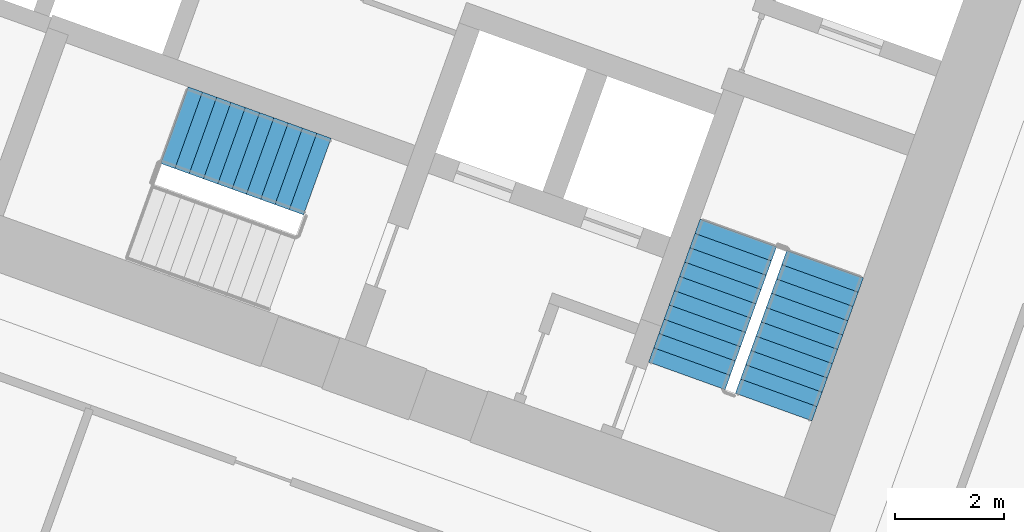
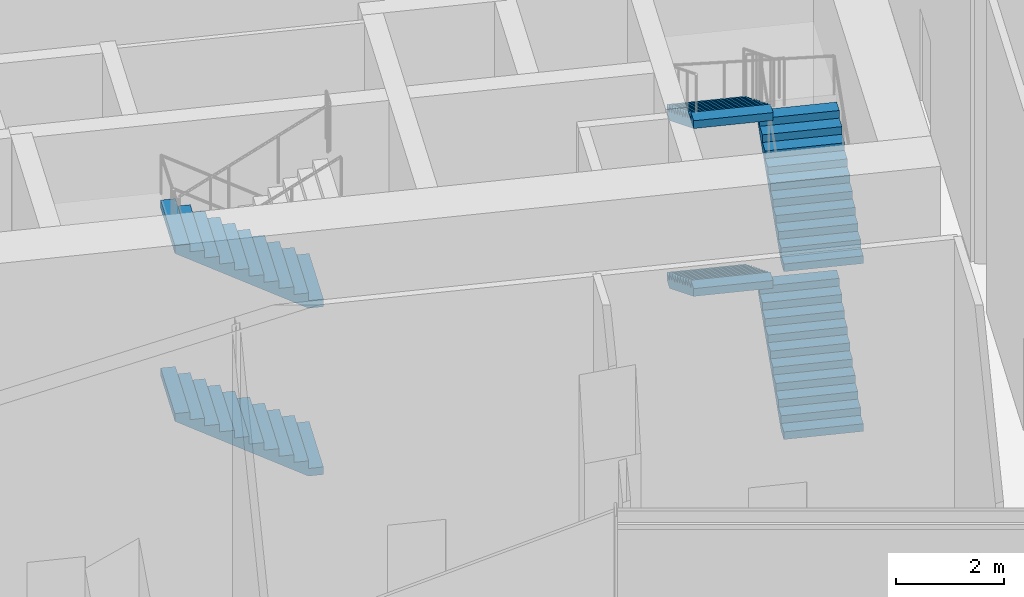
# One storey, part 24 of 26: 6 stair flights, 2 elements without a shape of their own.
"""IFC4 building model written with IfcOpenShell, lengths in metres."""

from ifc_helpers import new_model, si_unit, direction, frame, origin, place, context, subcontext, project, spatial, polyline, outline, extrude, material, type_object, element, aggregate, save


model = new_model("IFC4")

# Units and contexts
model_context = context("Model", 3, precision=1e-05, world=origin(), true_north=direction((0.0, 1.0)))
body_context = subcontext(model_context, "Body", "Model", "MODEL_VIEW")
ifc_project = project(units=[si_unit("LENGTHUNIT", "METRE"), si_unit("AREAUNIT", "SQUARE_METRE"), si_unit("VOLUMEUNIT", "CUBIC_METRE"), si_unit("PLANEANGLEUNIT", "RADIAN"), si_unit("MASSUNIT", "GRAM", prefix="KILO")], contexts=[model_context])

# Site, building, storey
site_placement = place(None, origin())
site = spatial("IfcSite", under=ifc_project, at=site_placement, CompositionType="ELEMENT")
building_placement = place(site_placement, origin())
building = spatial("IfcBuilding", under=site, at=building_placement, Name="Stone Belt Terrace Tower", CompositionType="ELEMENT")
storey_placement = place(building_placement, frame((0.0, 0.0, 250.39990234375)))
storey = spatial("IfcBuildingStorey", under=building, at=storey_placement, Name="L61", CompositionType="ELEMENT", Elevation=250.39990234375)

# Stair, stair flights
ifc_material = material(Name="Concrete B40", Category="concrete")
stair_type = type_object("IfcStairType", Name="Exit stair 1500", PredefinedType="HALF_TURN_STAIR", material=ifc_material)
stair_1_placement = place(storey_placement, origin())
stair_1 = element("IfcStair", 1, at=stair_1_placement, inside=storey, type_object=stair_type, Name="L61 Exit stair 1 core B", PredefinedType="HALF_TURN_STAIR")
stair_flight_type = type_object("IfcStairFlightType", Name="Stair flight 1500", PredefinedType="STRAIGHT", material=ifc_material)
stair_flight_1_placement = place(storey_placement, frame((25.15283203125, 44.9375, 0.0), z_axis=(0.0, 0.0, 1.0), x_axis=(0.338624396177, 0.940921632398, 0.0)))
stair_flight_1 = element("IfcStairFlight", 2, at=stair_flight_1_placement, type_object=stair_flight_type, Name="ST1B flight 1", NumberOfRisers=11, NumberOfTreads=10, PredefinedType="STRAIGHT", RiserHeight=0.172727273, TreadLength=0.28, context=body_context, shape_type="SweptSolid", body=[
    extrude(outline(polyline([(0.0, 0.0), (0.0, 0.172607421875), (0.280029296875, 0.172607421875), (0.280029296875, 0.345458984375), (0.56005859375, 0.345458984375), (0.56005859375, 0.51806640625), (0.840087890625, 0.51806640625), (0.840087890625, 0.69091796875), (1.1201171875, 0.69091796875), (1.1201171875, 0.863525390625), (1.39990234375, 0.863525390625), (1.39990234375, 1.036376953125), (1.679931640625, 1.036376953125), (1.679931640625, 1.208984375), (1.9599609375, 1.208984375), (1.9599609375, 1.3818359375), (2.239990234375, 1.3818359375), (2.239990234375, 1.554443359375), (2.52001953125, 1.554443359375), (2.52001953125, 1.727294921875), (2.800048828125, 1.727294921875), (2.800048828125, 1.89990234375), (2.800048828125, 1.551025390625), (0.285400390625, 0.0), (0.0, 0.0)])), frame((0.0, 0.75, 0.0), z_axis=(0.0, -1.0, 0.0), x_axis=(1.0, 0.0, 0.0)), (0.0, 0.0, 1.0), 1.5),
])
stair_flight_2_placement = place(storey_placement, frame((24.50146484375, 48.147705078125, 1.900146484375), z_axis=(0.0, 0.0, 1.0), x_axis=(-0.338624396177, -0.940921632398, 0.0)))
stair_flight_2 = element("IfcStairFlight", 3, at=stair_flight_2_placement, type_object=stair_flight_type, Name="ST1B flight 2", NumberOfRisers=11, NumberOfTreads=10, PredefinedType="STRAIGHT", RiserHeight=0.172727273, TreadLength=0.28, context=body_context, shape_type="SweptSolid", body=[
    extrude(outline(polyline([(0.0, 0.0), (0.0, 0.172607421875), (0.280029296875, 0.172607421875), (0.280029296875, 0.345458984375), (0.56005859375, 0.345458984375), (0.56005859375, 0.51806640625), (0.840087890625, 0.51806640625), (0.840087890625, 0.69091796875), (1.1201171875, 0.69091796875), (1.1201171875, 0.863525390625), (1.39990234375, 0.863525390625), (1.39990234375, 1.036376953125), (1.679931640625, 1.036376953125), (1.679931640625, 1.208984375), (1.9599609375, 1.208984375), (1.9599609375, 1.3818359375), (2.239990234375, 1.3818359375), (2.239990234375, 1.554443359375), (2.52001953125, 1.554443359375), (2.52001953125, 1.727294921875), (2.800048828125, 1.727294921875), (2.800048828125, 1.89990234375), (2.800048828125, 1.551025390625), (0.285400390625, 0.0), (0.0, 0.0)])), frame((0.0, 0.75, 0.0), z_axis=(0.0, -1.0, 0.0), x_axis=(1.0, 0.0, 0.0)), (0.0, 0.0, 1.0), 1.5),
])
stair_flight_3_placement = place(storey_placement, frame((25.15283203125, 44.9375, 3.800048828125), z_axis=(0.0, 0.0, 1.0), x_axis=(0.338624396177, 0.940921632398, 0.0)))
stair_flight_3 = element("IfcStairFlight", 4, at=stair_flight_3_placement, type_object=stair_flight_type, Name="ST1B flight 3", NumberOfRisers=11, NumberOfTreads=10, PredefinedType="STRAIGHT", RiserHeight=0.172727273, TreadLength=0.28, context=body_context, shape_type="SweptSolid", body=[
    extrude(outline(polyline([(0.0, 0.0), (0.0, 0.172607421875), (0.280029296875, 0.172607421875), (0.280029296875, 0.345458984375), (0.56005859375, 0.345458984375), (0.56005859375, 0.51806640625), (0.840087890625, 0.51806640625), (0.840087890625, 0.69091796875), (1.1201171875, 0.69091796875), (1.1201171875, 0.863525390625), (1.39990234375, 0.863525390625), (1.39990234375, 1.036376953125), (1.679931640625, 1.036376953125), (1.679931640625, 1.208984375), (1.9599609375, 1.208984375), (1.9599609375, 1.3818359375), (2.239990234375, 1.3818359375), (2.239990234375, 1.554443359375), (2.52001953125, 1.554443359375), (2.52001953125, 1.727294921875), (2.800048828125, 1.727294921875), (2.800048828125, 1.89990234375), (2.800048828125, 1.551025390625), (0.285400390625, 0.0), (0.0, 0.0)])), frame((0.0, 0.75, 0.0), z_axis=(0.0, -1.0, 0.0), x_axis=(1.0, 0.0, 0.0)), (0.0, 0.0, 1.0), 1.5),
])
stair_flight_4_placement = place(storey_placement, frame((24.50146484375, 48.147705078125, 5.7001953125), z_axis=(0.0, 0.0, 1.0), x_axis=(-0.338624396177, -0.940921632398, 0.0)))
stair_flight_4 = element("IfcStairFlight", 5, at=stair_flight_4_placement, type_object=stair_flight_type, Name="ST1B flight 4", NumberOfRisers=11, NumberOfTreads=10, PredefinedType="STRAIGHT", RiserHeight=0.172727273, TreadLength=0.28, context=body_context, shape_type="SweptSolid", body=[
    extrude(outline(polyline([(0.0, 0.0), (0.0, 0.172607421875), (0.280029296875, 0.172607421875), (0.280029296875, 0.345458984375), (0.56005859375, 0.345458984375), (0.56005859375, 0.51806640625), (0.840087890625, 0.51806640625), (0.840087890625, 0.69091796875), (1.1201171875, 0.69091796875), (1.1201171875, 0.863525390625), (1.39990234375, 0.863525390625), (1.39990234375, 1.036376953125), (1.679931640625, 1.036376953125), (1.679931640625, 1.208984375), (1.9599609375, 1.208984375), (1.9599609375, 1.3818359375), (2.239990234375, 1.3818359375), (2.239990234375, 1.554443359375), (2.52001953125, 1.554443359375), (2.52001953125, 1.727294921875), (2.800048828125, 1.727294921875), (2.800048828125, 1.89990234375), (2.800048828125, 1.551025390625), (0.285400390625, 0.0), (0.0, 0.0)])), frame((0.0, 0.75, 0.0), z_axis=(0.0, -1.0, 0.0), x_axis=(1.0, 0.0, 0.0)), (0.0, 0.0, 1.0), 1.5),
])
aggregate(stair_1, [stair_flight_1, stair_flight_2, stair_flight_3, stair_flight_4])

stair_2_placement = place(storey_placement, origin())
stair_2 = element("IfcStair", 6, at=stair_2_placement, inside=storey, type_object=stair_type, Name="L61 Exit stair 2 core B", PredefinedType="HALF_TURN_STAIR")
stair_flight_5_placement = place(storey_placement, frame((16.74462890625, 49.185546875, 0.0), z_axis=(0.0, 0.0, 1.0), x_axis=(-0.940921632398, 0.338624396177, 0.0)))
stair_flight_5 = element("IfcStairFlight", 7, at=stair_flight_5_placement, type_object=stair_flight_type, Name="ST2B flight 1", NumberOfRisers=11, NumberOfTreads=10, PredefinedType="STRAIGHT", RiserHeight=0.172727273, TreadLength=0.28, context=body_context, shape_type="SweptSolid", body=[
    extrude(outline(polyline([(0.0, 0.0), (0.0, 0.172607421875), (0.280029296875, 0.172607421875), (0.280029296875, 0.345458984375), (0.56005859375, 0.345458984375), (0.56005859375, 0.51806640625), (0.840087890625, 0.51806640625), (0.840087890625, 0.69091796875), (1.1201171875, 0.69091796875), (1.1201171875, 0.863525390625), (1.39990234375, 0.863525390625), (1.39990234375, 1.036376953125), (1.679931640625, 1.036376953125), (1.679931640625, 1.208984375), (1.9599609375, 1.208984375), (1.9599609375, 1.3818359375), (2.239990234375, 1.3818359375), (2.239990234375, 1.554443359375), (2.52001953125, 1.554443359375), (2.52001953125, 1.727294921875), (2.800048828125, 1.727294921875), (2.800048828125, 1.89990234375), (2.800048828125, 1.551025390625), (0.285400390625, 0.0), (0.0, 0.0)])), frame((0.0, 0.75, 0.0), z_axis=(0.0, -1.0, 0.0), x_axis=(1.0, 0.0, 0.0)), (0.0, 0.0, 1.0), 1.5),
])
stair_flight_6_placement = place(storey_placement, frame((16.74462890625, 49.185546875, 3.800048828125), z_axis=(0.0, 0.0, 1.0), x_axis=(-0.940921632398, 0.338624396177, 0.0)))
stair_flight_6 = element("IfcStairFlight", 8, at=stair_flight_6_placement, type_object=stair_flight_type, Name="ST2B flight 3", NumberOfRisers=11, NumberOfTreads=10, PredefinedType="STRAIGHT", RiserHeight=0.172727273, TreadLength=0.28, context=body_context, shape_type="SweptSolid", body=[
    extrude(outline(polyline([(0.0, 0.0), (0.0, 0.172607421875), (0.280029296875, 0.172607421875), (0.280029296875, 0.345458984375), (0.56005859375, 0.345458984375), (0.56005859375, 0.51806640625), (0.840087890625, 0.51806640625), (0.840087890625, 0.69091796875), (1.1201171875, 0.69091796875), (1.1201171875, 0.863525390625), (1.39990234375, 0.863525390625), (1.39990234375, 1.036376953125), (1.679931640625, 1.036376953125), (1.679931640625, 1.208984375), (1.9599609375, 1.208984375), (1.9599609375, 1.3818359375), (2.239990234375, 1.3818359375), (2.239990234375, 1.554443359375), (2.52001953125, 1.554443359375), (2.52001953125, 1.727294921875), (2.800048828125, 1.727294921875), (2.800048828125, 1.89990234375), (2.800048828125, 1.551025390625), (0.285400390625, 0.0), (0.0, 0.0)])), frame((0.0, 0.75, 0.0), z_axis=(0.0, -1.0, 0.0), x_axis=(1.0, 0.0, 0.0)), (0.0, 0.0, 1.0), 1.5),
])
aggregate(stair_2, [stair_flight_5, stair_flight_6])

save(model, "model.ifc")
